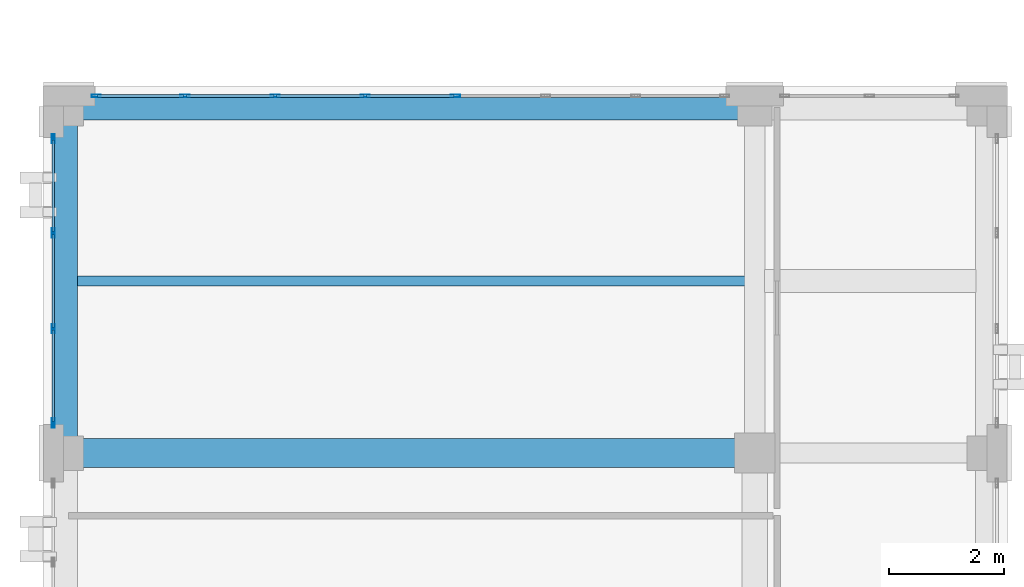
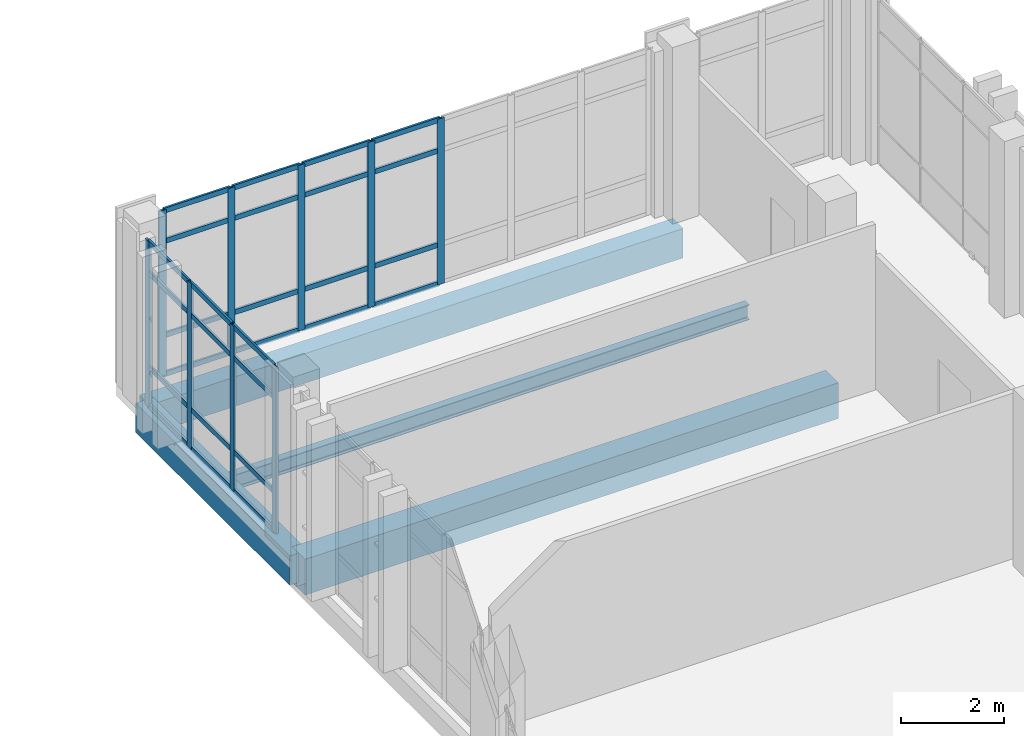
# One storey, part 17 of 48: 37 members, 4 beams, 2 elements without a shape of their own.
"""IFC4 building model written with IfcOpenShell, lengths in metres."""

from ifc_helpers import new_model, si_unit, direction, frame, origin, origin_2d, place, context, subcontext, project, spatial, rectangle, hollow_rectangle, i_section, extrude, material, layer, layer_set, material_profile, profile_set, type_object, element, aggregate, save


model = new_model("IFC4")

# Units and contexts
model_context = context("Model", 3, precision=1e-05, world=origin(), true_north=direction((0.0, 1.0)))
body_context = subcontext(model_context, "Body", "Model", "MODEL_VIEW")
ifc_project = project(units=[si_unit("LENGTHUNIT", "METRE"), si_unit("AREAUNIT", "SQUARE_METRE"), si_unit("VOLUMEUNIT", "CUBIC_METRE"), si_unit("PLANEANGLEUNIT", "RADIAN"), si_unit("MASSUNIT", "GRAM", prefix="KILO")], contexts=[model_context])

# Site, building, storey
site_placement = place(None, origin())
site = spatial("IfcSite", under=ifc_project, at=site_placement, CompositionType="ELEMENT")
building_placement = place(site_placement, origin())
building = spatial("IfcBuilding", under=site, at=building_placement, Name="Qalavern Law Courts", CompositionType="ELEMENT")
storey_placement = place(building_placement, frame((0.0, 0.0, 31.199951171875)))
storey = spatial("IfcBuildingStorey", under=building, at=storey_placement, Name="L07", CompositionType="ELEMENT", Elevation=31.199951171875)

# Curtain wall, members
ifc_material_1 = material(Name="Anodised aluminium and insulated glazing", Category="aluminium")
ifc_layer = layer(ifc_material_1, 0.159912109375)
ifc_layer_set = layer_set([ifc_layer], Name="Anodised aluminium and insulated glazing")
curtain_wall_type = type_object("IfcCurtainWallType", Name="ENV-CW-CHAMB", PredefinedType="USERDEFINED", material=ifc_layer_set)
curtain_wall_1_placement = place(storey_placement, origin())
curtain_wall_1 = element("IfcCurtainWall", 1, at=curtain_wall_1_placement, inside=storey, type_object=curtain_wall_type, Name="V3 unitised curtain wall L07 north 2", ObjectType="UNITISED CURTAIN WALL", PredefinedType="USERDEFINED")
ifc_material_2 = material(Name="Anodised aluminium", Category="aluminium")
ifc_material_profile_1 = material_profile(ifc_material_2, hollow_rectangle(XDim=0.048095703125, YDim=0.159912109375, WallThickness=0.00390625, at=origin_2d()), Name="ALU MULLION 48x160")
ifc_profile_set_1 = profile_set([ifc_material_profile_1], Name="Anodised aluminium")
member_type_1 = type_object("IfcMemberType", Name="ENV-CWM-48x160", PredefinedType="MULLION", material=ifc_profile_set_1)
member_1_placement = place(storey_placement, frame((9.185791015625, 79.62255859375, 0.0), z_axis=(0.0, 0.0, 1.0), x_axis=(0.0, -1.0, 0.0)))
member_1 = element("IfcMember", 2, at=member_1_placement, type_object=member_type_1, Name="CW-04 mullion 4", PredefinedType="MULLION", context=body_context, shape_type="SweptSolid", body=[
    extrude(hollow_rectangle(XDim=0.048095703125, YDim=0.159912109375, WallThickness=0.00390625, at=origin_2d()), origin(), (0.0, 0.0, 1.0), 3.93994140625),
])
member_2_placement = place(storey_placement, frame((7.6142578125, 79.62255859375, 0.0), z_axis=(0.0, 0.0, 1.0), x_axis=(0.0, -1.0, 0.0)))
member_2 = element("IfcMember", 3, at=member_2_placement, type_object=member_type_1, Name="CW-04 mullion 5", PredefinedType="MULLION", context=body_context, shape_type="SweptSolid", body=[
    extrude(hollow_rectangle(XDim=0.048095703125, YDim=0.159912109375, WallThickness=0.00390625, at=origin_2d()), origin(), (0.0, 0.0, 1.0), 3.93994140625),
])
member_3_placement = place(storey_placement, frame((6.04296875, 79.62255859375, 0.0), z_axis=(0.0, 0.0, 1.0), x_axis=(0.0, -1.0, 0.0)))
member_3 = element("IfcMember", 4, at=member_3_placement, type_object=member_type_1, Name="CW-04 mullion 6", PredefinedType="MULLION", context=body_context, shape_type="SweptSolid", body=[
    extrude(hollow_rectangle(XDim=0.048095703125, YDim=0.159912109375, WallThickness=0.00390625, at=origin_2d()), origin(), (0.0, 0.0, 1.0), 3.93994140625),
])
member_4_placement = place(storey_placement, frame((4.471435546875, 79.62255859375, 0.0), z_axis=(0.0, 0.0, 1.0), x_axis=(0.0, -1.0, 0.0)))
member_4 = element("IfcMember", 5, at=member_4_placement, type_object=member_type_1, Name="CW-04 mullion 7", PredefinedType="MULLION", context=body_context, shape_type="SweptSolid", body=[
    extrude(hollow_rectangle(XDim=0.048095703125, YDim=0.159912109375, WallThickness=0.00390625, at=origin_2d()), origin(), (0.0, 0.0, 1.0), 3.93994140625),
])
member_5_placement = place(storey_placement, frame((2.924072265625, 79.62255859375, 0.0), z_axis=(0.0, 0.0, 1.0), x_axis=(0.0, -1.0, 0.0)))
member_5 = element("IfcMember", 6, at=member_5_placement, type_object=member_type_1, Name="CW-04 mullion 8", PredefinedType="MULLION", context=body_context, shape_type="SweptSolid", body=[
    extrude(hollow_rectangle(XDim=0.048095703125, YDim=0.159912109375, WallThickness=0.00390625, at=origin_2d()), origin(), (0.0, 0.0, 1.0), 3.93994140625),
])

curtain_wall_2_placement = place(storey_placement, origin())
curtain_wall_2 = element("IfcCurtainWall", 7, at=curtain_wall_2_placement, inside=storey, type_object=curtain_wall_type, Name="V3 unitised curtain wall L07 west 1", ObjectType="UNITISED CURTAIN WALL", PredefinedType="USERDEFINED")
member_6_placement = place(storey_placement, frame((2.177490234375, 78.8759765625, 0.0), z_axis=(0.0, 0.0, 1.0), x_axis=(1.0, 0.0, 0.0)))
member_6 = element("IfcMember", 8, at=member_6_placement, type_object=member_type_1, Name="CW-04 mullion 1", PredefinedType="MULLION", context=body_context, shape_type="SweptSolid", body=[
    extrude(hollow_rectangle(XDim=0.048095703125, YDim=0.159912109375, WallThickness=0.00390625, at=origin_2d()), origin(), (0.0, 0.0, 1.0), 3.93994140625),
])
member_7_placement = place(storey_placement, frame((2.177490234375, 77.2333984375, 0.0), z_axis=(0.0, 0.0, 1.0), x_axis=(1.0, 0.0, 0.0)))
member_7 = element("IfcMember", 9, at=member_7_placement, type_object=member_type_1, Name="CW-04 mullion 2", PredefinedType="MULLION", context=body_context, shape_type="SweptSolid", body=[
    extrude(hollow_rectangle(XDim=0.048095703125, YDim=0.159912109375, WallThickness=0.00390625, at=origin_2d()), origin(), (0.0, 0.0, 1.0), 3.93994140625),
])
member_8_placement = place(storey_placement, frame((2.177490234375, 75.566650390625, 0.0), z_axis=(0.0, 0.0, 1.0), x_axis=(1.0, 0.0, 0.0)))
member_8 = element("IfcMember", 10, at=member_8_placement, type_object=member_type_1, Name="CW-04 mullion 3", PredefinedType="MULLION", context=body_context, shape_type="SweptSolid", body=[
    extrude(hollow_rectangle(XDim=0.048095703125, YDim=0.159912109375, WallThickness=0.00390625, at=origin_2d()), origin(), (0.0, 0.0, 1.0), 3.93994140625),
])
member_9_placement = place(storey_placement, frame((2.177490234375, 73.924072265625, 0.0), z_axis=(0.0, 0.0, 1.0), x_axis=(1.0, 0.0, 0.0)))
member_9 = element("IfcMember", 11, at=member_9_placement, type_object=member_type_1, Name="CW-04 mullion 4", PredefinedType="MULLION", context=body_context, shape_type="SweptSolid", body=[
    extrude(hollow_rectangle(XDim=0.048095703125, YDim=0.159912109375, WallThickness=0.00390625, at=origin_2d()), origin(), (0.0, 0.0, 1.0), 3.93994140625),
])

# Member
ifc_material_profile_2 = material_profile(ifc_material_2, hollow_rectangle(XDim=0.048095703125, YDim=0.1201171875, WallThickness=0.00390625, at=origin_2d()), Name="ALU TRANSOM 48x120")
ifc_profile_set_2 = profile_set([ifc_material_profile_2], Name="Anodised aluminium")
member_type_2 = type_object("IfcMemberType", Name="ENV-CWT-48x120", PredefinedType="USERDEFINED", material=ifc_profile_set_2)
member_10_placement = place(storey_placement, frame((9.16162109375, 79.62255859375, 0.024169921875), z_axis=(-1.0, 0.0, 0.0), x_axis=(0.0, -1.0, 0.0)))
member_10 = element("IfcMember", 12, at=member_10_placement, type_object=member_type_2, Name="CW-04 transom 4.1", ObjectType="TRANSOM", PredefinedType="USERDEFINED", context=body_context, shape_type="SweptSolid", body=[
    extrude(hollow_rectangle(XDim=0.048095703125, YDim=0.1201171875, WallThickness=0.00390625, at=origin_2d()), origin(), (0.0, 0.0, 1.0), 1.5234375),
])

member_11_placement = place(storey_placement, frame((9.16162109375, 79.62255859375, 0.949951171875), z_axis=(-1.0, 0.0, 0.0), x_axis=(0.0, -1.0, 0.0)))
member_11 = element("IfcMember", 13, at=member_11_placement, type_object=member_type_2, Name="CW-04 transom 4.2", ObjectType="TRANSOM", PredefinedType="USERDEFINED", context=body_context, shape_type="SweptSolid", body=[
    extrude(hollow_rectangle(XDim=0.048095703125, YDim=0.1201171875, WallThickness=0.00390625, at=origin_2d()), origin(), (0.0, 0.0, 1.0), 1.5234375),
])

member_12_placement = place(storey_placement, frame((9.16162109375, 79.62255859375, 3.18994140625), z_axis=(-1.0, 0.0, 0.0), x_axis=(0.0, -1.0, 0.0)))
member_12 = element("IfcMember", 14, at=member_12_placement, type_object=member_type_2, Name="CW-04 transom 4.3", ObjectType="TRANSOM", PredefinedType="USERDEFINED", context=body_context, shape_type="SweptSolid", body=[
    extrude(hollow_rectangle(XDim=0.048095703125, YDim=0.1201171875, WallThickness=0.00390625, at=origin_2d()), origin(), (0.0, 0.0, 1.0), 1.5234375),
])

member_13_placement = place(storey_placement, frame((9.16162109375, 79.62255859375, 3.916015625), z_axis=(-1.0, 0.0, 0.0), x_axis=(0.0, -1.0, 0.0)))
member_13 = element("IfcMember", 15, at=member_13_placement, type_object=member_type_2, Name="CW-04 transom 4.4", ObjectType="TRANSOM", PredefinedType="USERDEFINED", context=body_context, shape_type="SweptSolid", body=[
    extrude(hollow_rectangle(XDim=0.048095703125, YDim=0.1201171875, WallThickness=0.00390625, at=origin_2d()), origin(), (0.0, 0.0, 1.0), 1.5234375),
])

member_14_placement = place(storey_placement, frame((7.59033203125, 79.62255859375, 0.024169921875), z_axis=(-1.0, 0.0, 0.0), x_axis=(0.0, -1.0, 0.0)))
member_14 = element("IfcMember", 16, at=member_14_placement, type_object=member_type_2, Name="CW-04 transom 5.1", ObjectType="TRANSOM", PredefinedType="USERDEFINED", context=body_context, shape_type="SweptSolid", body=[
    extrude(hollow_rectangle(XDim=0.048095703125, YDim=0.1201171875, WallThickness=0.00390625, at=origin_2d()), origin(), (0.0, 0.0, 1.0), 1.5234375),
])

member_15_placement = place(storey_placement, frame((7.59033203125, 79.62255859375, 0.949951171875), z_axis=(-1.0, 0.0, 0.0), x_axis=(0.0, -1.0, 0.0)))
member_15 = element("IfcMember", 17, at=member_15_placement, type_object=member_type_2, Name="CW-04 transom 5.2", ObjectType="TRANSOM", PredefinedType="USERDEFINED", context=body_context, shape_type="SweptSolid", body=[
    extrude(hollow_rectangle(XDim=0.048095703125, YDim=0.1201171875, WallThickness=0.00390625, at=origin_2d()), origin(), (0.0, 0.0, 1.0), 1.5234375),
])

member_16_placement = place(storey_placement, frame((7.59033203125, 79.62255859375, 3.18994140625), z_axis=(-1.0, 0.0, 0.0), x_axis=(0.0, -1.0, 0.0)))
member_16 = element("IfcMember", 18, at=member_16_placement, type_object=member_type_2, Name="CW-04 transom 5.3", ObjectType="TRANSOM", PredefinedType="USERDEFINED", context=body_context, shape_type="SweptSolid", body=[
    extrude(hollow_rectangle(XDim=0.048095703125, YDim=0.1201171875, WallThickness=0.00390625, at=origin_2d()), origin(), (0.0, 0.0, 1.0), 1.5234375),
])

member_17_placement = place(storey_placement, frame((7.59033203125, 79.62255859375, 3.916015625), z_axis=(-1.0, 0.0, 0.0), x_axis=(0.0, -1.0, 0.0)))
member_17 = element("IfcMember", 19, at=member_17_placement, type_object=member_type_2, Name="CW-04 transom 5.4", ObjectType="TRANSOM", PredefinedType="USERDEFINED", context=body_context, shape_type="SweptSolid", body=[
    extrude(hollow_rectangle(XDim=0.048095703125, YDim=0.1201171875, WallThickness=0.00390625, at=origin_2d()), origin(), (0.0, 0.0, 1.0), 1.5234375),
])

member_18_placement = place(storey_placement, frame((6.018798828125, 79.62255859375, 0.024169921875), z_axis=(-1.0, 0.0, 0.0), x_axis=(0.0, -1.0, 0.0)))
member_18 = element("IfcMember", 20, at=member_18_placement, type_object=member_type_2, Name="CW-04 transom 6.1", ObjectType="TRANSOM", PredefinedType="USERDEFINED", context=body_context, shape_type="SweptSolid", body=[
    extrude(hollow_rectangle(XDim=0.048095703125, YDim=0.1201171875, WallThickness=0.00390625, at=origin_2d()), origin(), (0.0, 0.0, 1.0), 1.5234375),
])

member_19_placement = place(storey_placement, frame((6.018798828125, 79.62255859375, 0.949951171875), z_axis=(-1.0, 0.0, 0.0), x_axis=(0.0, -1.0, 0.0)))
member_19 = element("IfcMember", 21, at=member_19_placement, type_object=member_type_2, Name="CW-04 transom 6.2", ObjectType="TRANSOM", PredefinedType="USERDEFINED", context=body_context, shape_type="SweptSolid", body=[
    extrude(hollow_rectangle(XDim=0.048095703125, YDim=0.1201171875, WallThickness=0.00390625, at=origin_2d()), origin(), (0.0, 0.0, 1.0), 1.5234375),
])

member_20_placement = place(storey_placement, frame((6.018798828125, 79.62255859375, 3.18994140625), z_axis=(-1.0, 0.0, 0.0), x_axis=(0.0, -1.0, 0.0)))
member_20 = element("IfcMember", 22, at=member_20_placement, type_object=member_type_2, Name="CW-04 transom 6.3", ObjectType="TRANSOM", PredefinedType="USERDEFINED", context=body_context, shape_type="SweptSolid", body=[
    extrude(hollow_rectangle(XDim=0.048095703125, YDim=0.1201171875, WallThickness=0.00390625, at=origin_2d()), origin(), (0.0, 0.0, 1.0), 1.5234375),
])

member_21_placement = place(storey_placement, frame((6.018798828125, 79.62255859375, 3.916015625), z_axis=(-1.0, 0.0, 0.0), x_axis=(0.0, -1.0, 0.0)))
member_21 = element("IfcMember", 23, at=member_21_placement, type_object=member_type_2, Name="CW-04 transom 6.4", ObjectType="TRANSOM", PredefinedType="USERDEFINED", context=body_context, shape_type="SweptSolid", body=[
    extrude(hollow_rectangle(XDim=0.048095703125, YDim=0.1201171875, WallThickness=0.00390625, at=origin_2d()), origin(), (0.0, 0.0, 1.0), 1.5234375),
])

member_22_placement = place(storey_placement, frame((4.447509765625, 79.62255859375, 0.024169921875), z_axis=(-1.0, 0.0, 0.0), x_axis=(0.0, -1.0, 0.0)))
member_22 = element("IfcMember", 24, at=member_22_placement, type_object=member_type_2, Name="CW-04 transom 7.1", ObjectType="TRANSOM", PredefinedType="USERDEFINED", context=body_context, shape_type="SweptSolid", body=[
    extrude(hollow_rectangle(XDim=0.048095703125, YDim=0.1201171875, WallThickness=0.00390625, at=origin_2d()), origin(), (0.0, 0.0, 1.0), 1.49951171875),
])

member_23_placement = place(storey_placement, frame((4.447509765625, 79.62255859375, 0.949951171875), z_axis=(-1.0, 0.0, 0.0), x_axis=(0.0, -1.0, 0.0)))
member_23 = element("IfcMember", 25, at=member_23_placement, type_object=member_type_2, Name="CW-04 transom 7.2", ObjectType="TRANSOM", PredefinedType="USERDEFINED", context=body_context, shape_type="SweptSolid", body=[
    extrude(hollow_rectangle(XDim=0.048095703125, YDim=0.1201171875, WallThickness=0.00390625, at=origin_2d()), origin(), (0.0, 0.0, 1.0), 1.49951171875),
])

member_24_placement = place(storey_placement, frame((4.447509765625, 79.62255859375, 3.18994140625), z_axis=(-1.0, 0.0, 0.0), x_axis=(0.0, -1.0, 0.0)))
member_24 = element("IfcMember", 26, at=member_24_placement, type_object=member_type_2, Name="CW-04 transom 7.3", ObjectType="TRANSOM", PredefinedType="USERDEFINED", context=body_context, shape_type="SweptSolid", body=[
    extrude(hollow_rectangle(XDim=0.048095703125, YDim=0.1201171875, WallThickness=0.00390625, at=origin_2d()), origin(), (0.0, 0.0, 1.0), 1.49951171875),
])

member_25_placement = place(storey_placement, frame((4.447509765625, 79.62255859375, 3.916015625), z_axis=(-1.0, 0.0, 0.0), x_axis=(0.0, -1.0, 0.0)))
member_25 = element("IfcMember", 27, at=member_25_placement, type_object=member_type_2, Name="CW-04 transom 7.4", ObjectType="TRANSOM", PredefinedType="USERDEFINED", context=body_context, shape_type="SweptSolid", body=[
    extrude(hollow_rectangle(XDim=0.048095703125, YDim=0.1201171875, WallThickness=0.00390625, at=origin_2d()), origin(), (0.0, 0.0, 1.0), 1.49951171875),
])

aggregate(curtain_wall_1, [member_1, member_2, member_3, member_4, member_5, member_10, member_11, member_12, member_13, member_14, member_15, member_16, member_17, member_18, member_19, member_20, member_21, member_22, member_23, member_24, member_25])

member_26_placement = place(storey_placement, frame((2.177490234375, 78.85205078125, 0.024169921875), z_axis=(0.0, -1.0, 0.0), x_axis=(1.0, 0.0, 0.0)))
member_26 = element("IfcMember", 28, at=member_26_placement, type_object=member_type_2, Name="CW-04 transom 1.1", ObjectType="TRANSOM", PredefinedType="USERDEFINED", context=body_context, shape_type="SweptSolid", body=[
    extrude(hollow_rectangle(XDim=0.048095703125, YDim=0.1201171875, WallThickness=0.00390625, at=origin_2d()), origin(), (0.0, 0.0, 1.0), 1.5947265625),
])

member_27_placement = place(storey_placement, frame((2.177490234375, 78.85205078125, 0.949951171875), z_axis=(0.0, -1.0, 0.0), x_axis=(1.0, 0.0, 0.0)))
member_27 = element("IfcMember", 29, at=member_27_placement, type_object=member_type_2, Name="CW-04 transom 1.2", ObjectType="TRANSOM", PredefinedType="USERDEFINED", context=body_context, shape_type="SweptSolid", body=[
    extrude(hollow_rectangle(XDim=0.048095703125, YDim=0.1201171875, WallThickness=0.00390625, at=origin_2d()), origin(), (0.0, 0.0, 1.0), 1.5947265625),
])

member_28_placement = place(storey_placement, frame((2.177490234375, 78.85205078125, 3.18994140625), z_axis=(0.0, -1.0, 0.0), x_axis=(1.0, 0.0, 0.0)))
member_28 = element("IfcMember", 30, at=member_28_placement, type_object=member_type_2, Name="CW-04 transom 1.3", ObjectType="TRANSOM", PredefinedType="USERDEFINED", context=body_context, shape_type="SweptSolid", body=[
    extrude(hollow_rectangle(XDim=0.048095703125, YDim=0.1201171875, WallThickness=0.00390625, at=origin_2d()), origin(), (0.0, 0.0, 1.0), 1.5947265625),
])

member_29_placement = place(storey_placement, frame((2.177490234375, 78.85205078125, 3.916015625), z_axis=(0.0, -1.0, 0.0), x_axis=(1.0, 0.0, 0.0)))
member_29 = element("IfcMember", 31, at=member_29_placement, type_object=member_type_2, Name="CW-04 transom 1.4", ObjectType="TRANSOM", PredefinedType="USERDEFINED", context=body_context, shape_type="SweptSolid", body=[
    extrude(hollow_rectangle(XDim=0.048095703125, YDim=0.1201171875, WallThickness=0.00390625, at=origin_2d()), origin(), (0.0, 0.0, 1.0), 1.5947265625),
])

member_30_placement = place(storey_placement, frame((2.177490234375, 77.209228515625, 0.024169921875), z_axis=(0.0, -1.0, 0.0), x_axis=(1.0, 0.0, 0.0)))
member_30 = element("IfcMember", 32, at=member_30_placement, type_object=member_type_2, Name="CW-04 transom 2.1", ObjectType="TRANSOM", PredefinedType="USERDEFINED", context=body_context, shape_type="SweptSolid", body=[
    extrude(hollow_rectangle(XDim=0.048095703125, YDim=0.1201171875, WallThickness=0.00390625, at=origin_2d()), origin(), (0.0, 0.0, 1.0), 1.61865234375),
])

member_31_placement = place(storey_placement, frame((2.177490234375, 77.209228515625, 0.949951171875), z_axis=(0.0, -1.0, 0.0), x_axis=(1.0, 0.0, 0.0)))
member_31 = element("IfcMember", 33, at=member_31_placement, type_object=member_type_2, Name="CW-04 transom 2.2", ObjectType="TRANSOM", PredefinedType="USERDEFINED", context=body_context, shape_type="SweptSolid", body=[
    extrude(hollow_rectangle(XDim=0.048095703125, YDim=0.1201171875, WallThickness=0.00390625, at=origin_2d()), origin(), (0.0, 0.0, 1.0), 1.61865234375),
])

member_32_placement = place(storey_placement, frame((2.177490234375, 77.209228515625, 3.18994140625), z_axis=(0.0, -1.0, 0.0), x_axis=(1.0, 0.0, 0.0)))
member_32 = element("IfcMember", 34, at=member_32_placement, type_object=member_type_2, Name="CW-04 transom 2.3", ObjectType="TRANSOM", PredefinedType="USERDEFINED", context=body_context, shape_type="SweptSolid", body=[
    extrude(hollow_rectangle(XDim=0.048095703125, YDim=0.1201171875, WallThickness=0.00390625, at=origin_2d()), origin(), (0.0, 0.0, 1.0), 1.61865234375),
])

member_33_placement = place(storey_placement, frame((2.177490234375, 77.209228515625, 3.916015625), z_axis=(0.0, -1.0, 0.0), x_axis=(1.0, 0.0, 0.0)))
member_33 = element("IfcMember", 35, at=member_33_placement, type_object=member_type_2, Name="CW-04 transom 2.4", ObjectType="TRANSOM", PredefinedType="USERDEFINED", context=body_context, shape_type="SweptSolid", body=[
    extrude(hollow_rectangle(XDim=0.048095703125, YDim=0.1201171875, WallThickness=0.00390625, at=origin_2d()), origin(), (0.0, 0.0, 1.0), 1.61865234375),
])

member_34_placement = place(storey_placement, frame((2.177490234375, 75.542724609375, 0.024169921875), z_axis=(0.0, -1.0, 0.0), x_axis=(1.0, 0.0, 0.0)))
member_34 = element("IfcMember", 36, at=member_34_placement, type_object=member_type_2, Name="CW-04 transom 3.1", ObjectType="TRANSOM", PredefinedType="USERDEFINED", context=body_context, shape_type="SweptSolid", body=[
    extrude(hollow_rectangle(XDim=0.048095703125, YDim=0.1201171875, WallThickness=0.00390625, at=origin_2d()), origin(), (0.0, 0.0, 1.0), 1.5947265625),
])

member_35_placement = place(storey_placement, frame((2.177490234375, 75.542724609375, 0.949951171875), z_axis=(0.0, -1.0, 0.0), x_axis=(1.0, 0.0, 0.0)))
member_35 = element("IfcMember", 37, at=member_35_placement, type_object=member_type_2, Name="CW-04 transom 3.2", ObjectType="TRANSOM", PredefinedType="USERDEFINED", context=body_context, shape_type="SweptSolid", body=[
    extrude(hollow_rectangle(XDim=0.048095703125, YDim=0.1201171875, WallThickness=0.00390625, at=origin_2d()), origin(), (0.0, 0.0, 1.0), 1.5947265625),
])

member_36_placement = place(storey_placement, frame((2.177490234375, 75.542724609375, 3.18994140625), z_axis=(0.0, -1.0, 0.0), x_axis=(1.0, 0.0, 0.0)))
member_36 = element("IfcMember", 38, at=member_36_placement, type_object=member_type_2, Name="CW-04 transom 3.3", ObjectType="TRANSOM", PredefinedType="USERDEFINED", context=body_context, shape_type="SweptSolid", body=[
    extrude(hollow_rectangle(XDim=0.048095703125, YDim=0.1201171875, WallThickness=0.00390625, at=origin_2d()), origin(), (0.0, 0.0, 1.0), 1.5947265625),
])

member_37_placement = place(storey_placement, frame((2.177490234375, 75.542724609375, 3.916015625), z_axis=(0.0, -1.0, 0.0), x_axis=(1.0, 0.0, 0.0)))
member_37 = element("IfcMember", 39, at=member_37_placement, type_object=member_type_2, Name="CW-04 transom 3.4", ObjectType="TRANSOM", PredefinedType="USERDEFINED", context=body_context, shape_type="SweptSolid", body=[
    extrude(hollow_rectangle(XDim=0.048095703125, YDim=0.1201171875, WallThickness=0.00390625, at=origin_2d()), origin(), (0.0, 0.0, 1.0), 1.5947265625),
])

aggregate(curtain_wall_2, [member_6, member_7, member_8, member_9, member_26, member_27, member_28, member_29, member_30, member_31, member_32, member_33, member_34, member_35, member_36, member_37])

# Beams
ifc_material_3 = material(Name="Concrete C40/50", Category="concrete")
ifc_material_profile_3 = material_profile(ifc_material_3, rectangle(XDim=0.5, YDim=0.85009765625, at=origin_2d()), Name="RC 500x850")
ifc_profile_set_3 = profile_set([ifc_material_profile_3], Name="Concrete C40/50")
beam_type_1 = type_object("IfcBeamType", Name="STR-BM-RC500x850", PredefinedType="BEAM", material=ifc_profile_set_3)
beam_1_placement = place(storey_placement, frame((2.39990234375, 73.39990234375, -0.68994140625), z_axis=(1.0, 0.0, 0.0), x_axis=(0.0, 1.0, 0.0)))
element("IfcBeam", 40, at=beam_1_placement, inside=storey, type_object=beam_type_1, Name="V3 X-beam 5-1 L07", PredefinedType="BEAM", context=body_context, shape_type="SweptSolid", body=[
    extrude(rectangle(XDim=0.5, YDim=0.85009765625, at=origin_2d()), origin(), (0.0, 0.0, 1.0), 12.0),
])
ifc_material_4 = material(Name="Steel S355", Category="steel")
ifc_material_profile_4 = material_profile(ifc_material_4, i_section(OverallWidth=0.169921875, OverallDepth=0.360107421875, WebThickness=0.008056640625, FlangeThickness=0.0126953125, FilletRadius=0.01806640625, at=origin_2d()), Name="IPE 360")
ifc_profile_set_4 = profile_set([ifc_material_profile_4], Name="Steel S355")
beam_type_2 = type_object("IfcBeamType", Name="STR-JST-IPE360", PredefinedType="JOIST", material=ifc_profile_set_4)
beam_2_placement = place(storey_placement, frame((2.597900390625, 76.39990234375, -0.445068359375), z_axis=(1.0, 0.0, 0.0), x_axis=(0.0, 1.0, 0.0)))
element("IfcBeam", 41, at=beam_2_placement, inside=storey, type_object=beam_type_2, Name="V3 secondary joist 1.5.1 L07", PredefinedType="JOIST", context=body_context, shape_type="SweptSolid", body=[
    extrude(i_section(OverallWidth=0.169921875, OverallDepth=0.360107421875, WebThickness=0.008056640625, FlangeThickness=0.0126953125, FilletRadius=0.01806640625, at=origin_2d()), origin(), (0.0, 0.0, 1.0), 11.629150390625),
])
ifc_material_profile_5 = material_profile(ifc_material_3, rectangle(XDim=0.39990234375, YDim=0.699951171875, at=origin_2d()), Name="RC 400x700")
ifc_profile_set_5 = profile_set([ifc_material_profile_5], Name="Concrete C40/50")
beam_type_3 = type_object("IfcBeamType", Name="STR-SP-RC400x700", PredefinedType="SPANDREL", material=ifc_profile_set_5)
beam_3_placement = place(storey_placement, frame((2.39990234375, 79.39990234375, -0.614990234375), z_axis=(1.0, 0.0, 0.0), x_axis=(0.0, 1.0, 0.0)))
element("IfcBeam", 42, at=beam_3_placement, inside=storey, type_object=beam_type_3, Name="V3 X-beam 6-1 L07", PredefinedType="SPANDREL", context=body_context, shape_type="SweptSolid", body=[
    extrude(rectangle(XDim=0.39990234375, YDim=0.699951171875, at=origin_2d()), origin(), (0.0, 0.0, 1.0), 12.0),
])
beam_4_placement = place(storey_placement, frame((2.39990234375, 73.39990234375, -0.614990234375), z_axis=(0.0, 1.0, 0.0), x_axis=(-1.0, 0.0, 0.0)))
element("IfcBeam", 43, at=beam_4_placement, inside=storey, type_object=beam_type_3, Name="V3 Y-beam 1-5 L07", PredefinedType="SPANDREL", context=body_context, shape_type="SweptSolid", body=[
    extrude(rectangle(XDim=0.39990234375, YDim=0.699951171875, at=origin_2d()), origin(), (0.0, 0.0, 1.0), 6.0),
])

save(model, "model.ifc")
